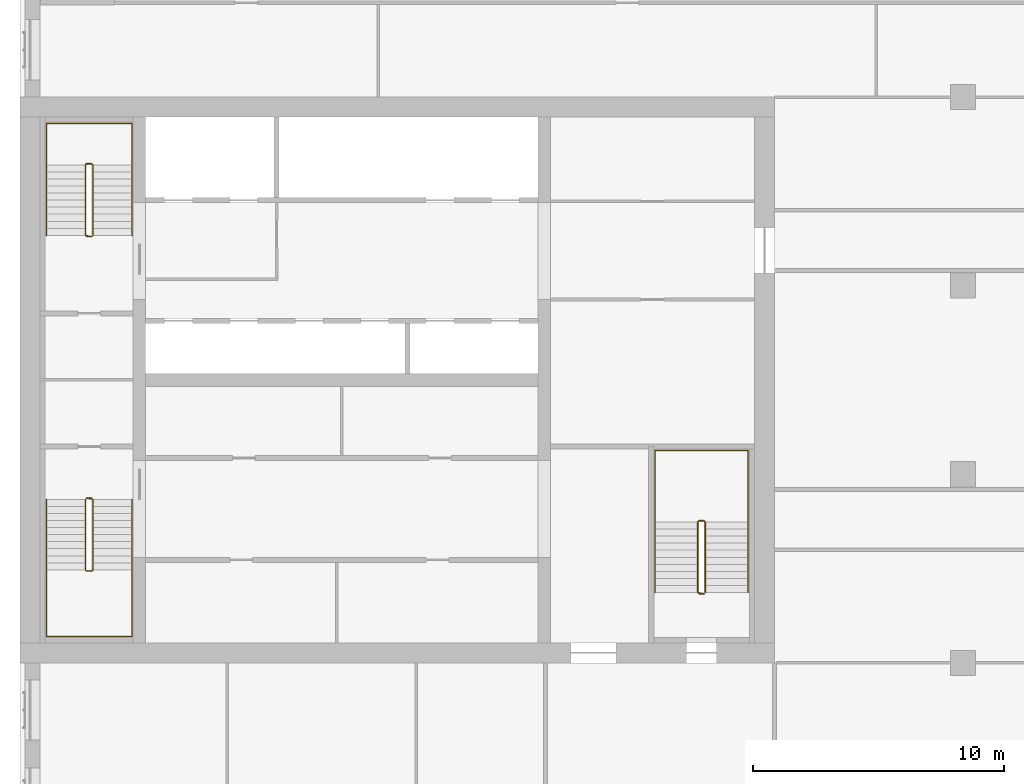
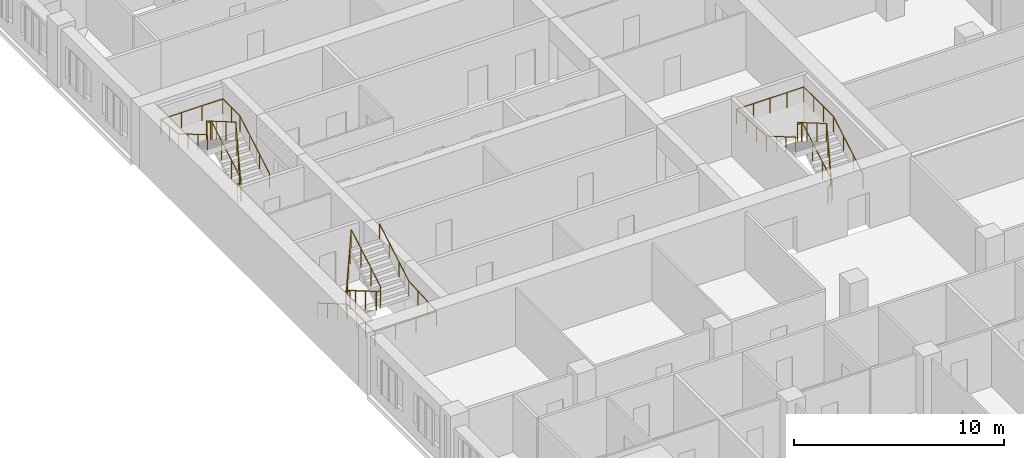
# One storey, part 13 of 13: 6 railings.
"""IFC4 building model written with IfcOpenShell, lengths in metres."""

from ifc_helpers import new_model, si_unit, direction, frame, origin, origin_2d, place, context, subcontext, project, spatial, circle, extrude, material, type_object, element, save


model = new_model("IFC4")

# Units and contexts
model_context = context("Model", 3, precision=1e-05, world=origin(), true_north=direction((0.0, 1.0)))
body_context = subcontext(model_context, "Body", "Model", "MODEL_VIEW")
ifc_project = project(units=[si_unit("LENGTHUNIT", "METRE"), si_unit("AREAUNIT", "SQUARE_METRE"), si_unit("VOLUMEUNIT", "CUBIC_METRE"), si_unit("PLANEANGLEUNIT", "RADIAN"), si_unit("MASSUNIT", "GRAM", prefix="KILO")], contexts=[model_context])

# Site, building, storey
site_placement = place(None, origin())
site = spatial("IfcSite", under=ifc_project, at=site_placement, CompositionType="ELEMENT")
building_placement = place(site_placement, origin())
building = spatial("IfcBuilding", under=site, at=building_placement, Name="Tamorin Gate", CompositionType="ELEMENT")
storey_placement = place(building_placement, frame((0.0, 0.0, 159.0)))
storey = spatial("IfcBuildingStorey", under=building, at=storey_placement, Name="L39", CompositionType="ELEMENT", Elevation=159.0)

# Railings
ifc_material_1 = material(Name="Painted steel balustrade", Category="steel")
railing_type_1 = type_object("IfcRailingType", Name="Stair guard 1100", PredefinedType="GUARDRAIL", material=ifc_material_1)
railing_1_placement = place(storey_placement, frame((32.60009765625, 66.5, 0.16357421875)))
element("IfcRailing", 1, at=railing_1_placement, inside=storey, type_object=railing_type_1, Name="L39 ST1 stair guard 1", PredefinedType="GUARDRAIL", context=body_context, shape_type="SweptSolid", body=[
    extrude(circle(Radius=0.02392578125, at=origin_2d()), frame((0.0, 0.0, 1.076171875), z_axis=(0.0, -0.863360870873, 0.504586966384), x_axis=(1.0, 0.0, 0.0)), (0.0, 0.0, 1.0), 3.2431640625),
    extrude(circle(Radius=0.02392578125, at=origin_2d()), frame((0.0, -2.800048828125, 2.71240234375), z_axis=(0.705375805398, -0.708833529934, 0.0), x_axis=(0.708833529934, 0.705375805398, 0.0)), (0.0, 0.0, 1.0), 0.070556640625),
    extrude(circle(Radius=0.02392578125, at=origin_2d()), frame((0.0498046875, -2.85009765625, 2.71240234375), z_axis=(1.0, 0.0, 0.0), x_axis=(0.0, 1.0, 0.0)), (0.0, 0.0, 1.0), 0.2001953125),
    extrude(circle(Radius=0.02392578125, at=origin_2d()), frame((0.25, -2.85009765625, 2.71240234375), z_axis=(0.279546231943, 0.280916556609, 0.91811752648), x_axis=(-0.708833529934, 0.705375805398, 0.0)), (0.0, 0.0, 1.0), 0.17822265625),
    extrude(circle(Radius=0.02392578125, at=origin_2d()), frame((0.2998046875, -2.800048828125, 2.8759765625), z_axis=(0.0, 0.863360870873, 0.504586966384), x_axis=(-1.0, 0.0, 0.0)), (0.0, 0.0, 1.0), 3.2431640625),
    extrude(circle(Radius=0.02392578125, at=origin_2d()), frame((0.2998046875, 0.0, 4.5126953125), z_axis=(-0.069269067181, 0.013867342551, -0.997501625634), x_axis=(-0.196300278283, -0.98054382908, 0.0)), (0.0, 0.0, 1.0), 3.609130859375),
    extrude(circle(Radius=0.02392578125, at=origin_2d()), frame((0.0498046875, 0.050048828125, 0.91259765625), z_axis=(1.0, 0.0, 0.0), x_axis=(0.0, 1.0, 0.0)), (0.0, 0.0, 1.0), 0.2001953125),
    extrude(circle(Radius=0.02099609375, at=origin_2d()), origin(), (0.0, 0.0, 1.0), 1.052001953125),
    extrude(circle(Radius=0.02099609375, at=origin_2d()), frame((0.0, -0.933349609375, 0.54541015625)), (0.0, 0.0, 1.0), 1.052001953125),
    extrude(circle(Radius=0.02099609375, at=origin_2d()), frame((0.0, -1.86669921875, 1.091064453125)), (0.0, 0.0, 1.0), 1.052001953125),
    extrude(circle(Radius=0.02099609375, at=origin_2d()), frame((0.0, -2.800048828125, 1.636474609375)), (0.0, 0.0, 1.0), 1.052001953125),
    extrude(circle(Radius=0.02099609375, at=origin_2d()), frame((0.0498046875, -2.85009765625, 1.636474609375)), (0.0, 0.0, 1.0), 1.052001953125),
    extrude(circle(Radius=0.02099609375, at=origin_2d()), frame((0.25, -2.85009765625, 1.636474609375)), (0.0, 0.0, 1.0), 1.052001953125),
    extrude(circle(Radius=0.02099609375, at=origin_2d()), frame((0.2998046875, -2.800048828125, 1.800048828125)), (0.0, 0.0, 1.0), 1.052001953125),
    extrude(circle(Radius=0.02099609375, at=origin_2d()), frame((0.2998046875, -1.86669921875, 2.345458984375)), (0.0, 0.0, 1.0), 1.052001953125),
    extrude(circle(Radius=0.02099609375, at=origin_2d()), frame((0.2998046875, -0.933349609375, 2.89111328125)), (0.0, 0.0, 1.0), 1.052001953125),
    extrude(circle(Radius=0.02099609375, at=origin_2d()), frame((0.2998046875, 0.0, 3.4365234375)), (0.0, 0.0, 1.0), 1.052001953125),
    extrude(circle(Radius=0.02099609375, at=origin_2d()), frame((0.2373046875, 0.012451171875, 2.53662109375)), (0.0, 0.0, 1.0), 1.052001953125),
    extrude(circle(Radius=0.02099609375, at=origin_2d()), frame((0.1748046875, 0.02490234375, 1.636474609375)), (0.0, 0.0, 1.0), 1.052001953125),
    extrude(circle(Radius=0.02099609375, at=origin_2d()), frame((0.1123046875, 0.03759765625, 0.736328125)), (0.0, 0.0, 1.0), 1.052001953125),
    extrude(circle(Radius=0.02099609375, at=origin_2d()), frame((0.0498046875, 0.050048828125, -0.16357421875)), (0.0, 0.0, 1.0), 1.052001953125),
    extrude(circle(Radius=0.02099609375, at=origin_2d()), frame((0.25, 0.050048828125, -0.16357421875)), (0.0, 0.0, 1.0), 1.052001953125),
])
railing_2_placement = place(storey_placement, frame((32.89990234375, 77.0, 0.16357421875)))
element("IfcRailing", 2, at=railing_2_placement, inside=storey, type_object=railing_type_1, Name="L39 ST2 stair guard 1", PredefinedType="GUARDRAIL", context=body_context, shape_type="SweptSolid", body=[
    extrude(circle(Radius=0.02392578125, at=origin_2d()), frame((0.0, 0.0, 1.076171875), z_axis=(0.0, 0.863360870873, 0.504586966384), x_axis=(-1.0, 0.0, 0.0)), (0.0, 0.0, 1.0), 3.2431640625),
    extrude(circle(Radius=0.02392578125, at=origin_2d()), frame((0.0, 2.800048828125, 2.71240234375), z_axis=(-0.705375805398, 0.708833529934, 0.0), x_axis=(-0.708833529934, -0.705375805398, 0.0)), (0.0, 0.0, 1.0), 0.070556640625),
    extrude(circle(Radius=0.02392578125, at=origin_2d()), frame((-0.0498046875, 2.85009765625, 2.71240234375), z_axis=(-1.0, 0.0, 0.0), x_axis=(0.0, -1.0, 0.0)), (0.0, 0.0, 1.0), 0.2001953125),
    extrude(circle(Radius=0.02392578125, at=origin_2d()), frame((-0.25, 2.85009765625, 2.71240234375), z_axis=(-0.279546231943, -0.280916556609, 0.91811752648), x_axis=(0.708833529934, -0.705375805398, 0.0)), (0.0, 0.0, 1.0), 0.17822265625),
    extrude(circle(Radius=0.02392578125, at=origin_2d()), frame((-0.2998046875, 2.800048828125, 2.8759765625), z_axis=(0.0, -0.863360870873, 0.504586966384), x_axis=(1.0, 0.0, 0.0)), (0.0, 0.0, 1.0), 3.2431640625),
    extrude(circle(Radius=0.02392578125, at=origin_2d()), frame((-0.2998046875, 0.0, 4.5126953125), z_axis=(0.069269067181, -0.013867342551, -0.997501625634), x_axis=(0.196300278283, 0.98054382908, 0.0)), (0.0, 0.0, 1.0), 3.609130859375),
    extrude(circle(Radius=0.02392578125, at=origin_2d()), frame((-0.0498046875, -0.050048828125, 0.91259765625), z_axis=(-1.0, 0.0, 0.0), x_axis=(0.0, -1.0, 0.0)), (0.0, 0.0, 1.0), 0.2001953125),
    extrude(circle(Radius=0.02099609375, at=origin_2d()), origin(), (0.0, 0.0, 1.0), 1.052001953125),
    extrude(circle(Radius=0.02099609375, at=origin_2d()), frame((0.0, 0.933349609375, 0.54541015625)), (0.0, 0.0, 1.0), 1.052001953125),
    extrude(circle(Radius=0.02099609375, at=origin_2d()), frame((0.0, 1.86669921875, 1.091064453125)), (0.0, 0.0, 1.0), 1.052001953125),
    extrude(circle(Radius=0.02099609375, at=origin_2d()), frame((0.0, 2.800048828125, 1.636474609375)), (0.0, 0.0, 1.0), 1.052001953125),
    extrude(circle(Radius=0.02099609375, at=origin_2d()), frame((-0.0498046875, 2.85009765625, 1.636474609375)), (0.0, 0.0, 1.0), 1.052001953125),
    extrude(circle(Radius=0.02099609375, at=origin_2d()), frame((-0.25, 2.85009765625, 1.636474609375)), (0.0, 0.0, 1.0), 1.052001953125),
    extrude(circle(Radius=0.02099609375, at=origin_2d()), frame((-0.2998046875, 2.800048828125, 1.800048828125)), (0.0, 0.0, 1.0), 1.052001953125),
    extrude(circle(Radius=0.02099609375, at=origin_2d()), frame((-0.2998046875, 1.86669921875, 2.345458984375)), (0.0, 0.0, 1.0), 1.052001953125),
    extrude(circle(Radius=0.02099609375, at=origin_2d()), frame((-0.2998046875, 0.933349609375, 2.89111328125)), (0.0, 0.0, 1.0), 1.052001953125),
    extrude(circle(Radius=0.02099609375, at=origin_2d()), frame((-0.2998046875, 0.0, 3.4365234375)), (0.0, 0.0, 1.0), 1.052001953125),
    extrude(circle(Radius=0.02099609375, at=origin_2d()), frame((-0.2373046875, -0.012451171875, 2.53662109375)), (0.0, 0.0, 1.0), 1.052001953125),
    extrude(circle(Radius=0.02099609375, at=origin_2d()), frame((-0.1748046875, -0.02490234375, 1.636474609375)), (0.0, 0.0, 1.0), 1.052001953125),
    extrude(circle(Radius=0.02099609375, at=origin_2d()), frame((-0.1123046875, -0.03759765625, 0.736328125)), (0.0, 0.0, 1.0), 1.052001953125),
    extrude(circle(Radius=0.02099609375, at=origin_2d()), frame((-0.0498046875, -0.050048828125, -0.16357421875)), (0.0, 0.0, 1.0), 1.052001953125),
    extrude(circle(Radius=0.02099609375, at=origin_2d()), frame((-0.25, -0.050048828125, -0.16357421875)), (0.0, 0.0, 1.0), 1.052001953125),
])
railing_3_placement = place(storey_placement, frame((57.25, 62.800048828125, 0.16357421875)))
element("IfcRailing", 3, at=railing_3_placement, inside=storey, type_object=railing_type_1, Name="L39 ST3 stair guard 1", PredefinedType="GUARDRAIL", context=body_context, shape_type="SweptSolid", body=[
    extrude(circle(Radius=0.02392578125, at=origin_2d()), frame((0.0, 0.0, 1.076171875), z_axis=(0.0, 0.863360870873, 0.504586966384), x_axis=(-1.0, 0.0, 0.0)), (0.0, 0.0, 1.0), 3.2431640625),
    extrude(circle(Radius=0.02392578125, at=origin_2d()), frame((0.0, 2.800048828125, 2.71240234375), z_axis=(-0.708833529934, 0.705375805398, 0.0), x_axis=(-0.705375805398, -0.708833529934, 0.0)), (0.0, 0.0, 1.0), 0.070556640625),
    extrude(circle(Radius=0.02392578125, at=origin_2d()), frame((-0.050048828125, 2.849853515625, 2.71240234375), z_axis=(-1.0, 0.0, 0.0), x_axis=(0.0, -1.0, 0.0)), (0.0, 0.0, 1.0), 0.199951171875),
    extrude(circle(Radius=0.02392578125, at=origin_2d()), frame((-0.25, 2.849853515625, 2.71240234375), z_axis=(-0.280916556609, -0.279546231943, 0.91811752648), x_axis=(0.705375805398, -0.708833529934, 0.0)), (0.0, 0.0, 1.0), 0.17822265625),
    extrude(circle(Radius=0.02392578125, at=origin_2d()), frame((-0.300048828125, 2.800048828125, 2.8759765625), z_axis=(0.0, -0.863360870873, 0.504586966384), x_axis=(1.0, 0.0, 0.0)), (0.0, 0.0, 1.0), 3.2431640625),
    extrude(circle(Radius=0.02392578125, at=origin_2d()), frame((-0.300048828125, 0.0, 4.5126953125), z_axis=(0.069269067181, -0.013867342551, -0.997501625634), x_axis=(0.196300278283, 0.98054382908, 0.0)), (0.0, 0.0, 1.0), 3.609130859375),
    extrude(circle(Radius=0.02392578125, at=origin_2d()), frame((-0.050048828125, -0.050048828125, 0.91259765625), z_axis=(-1.0, 0.0, 0.0), x_axis=(0.0, -1.0, 0.0)), (0.0, 0.0, 1.0), 0.199951171875),
    extrude(circle(Radius=0.02099609375, at=origin_2d()), origin(), (0.0, 0.0, 1.0), 1.052001953125),
    extrude(circle(Radius=0.02099609375, at=origin_2d()), frame((0.0, 0.933349609375, 0.54541015625)), (0.0, 0.0, 1.0), 1.052001953125),
    extrude(circle(Radius=0.02099609375, at=origin_2d()), frame((0.0, 1.86669921875, 1.091064453125)), (0.0, 0.0, 1.0), 1.052001953125),
    extrude(circle(Radius=0.02099609375, at=origin_2d()), frame((0.0, 2.800048828125, 1.636474609375)), (0.0, 0.0, 1.0), 1.052001953125),
    extrude(circle(Radius=0.02099609375, at=origin_2d()), frame((-0.050048828125, 2.849853515625, 1.636474609375)), (0.0, 0.0, 1.0), 1.052001953125),
    extrude(circle(Radius=0.02099609375, at=origin_2d()), frame((-0.25, 2.849853515625, 1.636474609375)), (0.0, 0.0, 1.0), 1.052001953125),
    extrude(circle(Radius=0.02099609375, at=origin_2d()), frame((-0.300048828125, 2.800048828125, 1.800048828125)), (0.0, 0.0, 1.0), 1.052001953125),
    extrude(circle(Radius=0.02099609375, at=origin_2d()), frame((-0.300048828125, 1.86669921875, 2.345458984375)), (0.0, 0.0, 1.0), 1.052001953125),
    extrude(circle(Radius=0.02099609375, at=origin_2d()), frame((-0.300048828125, 0.933349609375, 2.89111328125)), (0.0, 0.0, 1.0), 1.052001953125),
    extrude(circle(Radius=0.02099609375, at=origin_2d()), frame((-0.300048828125, 0.0, 3.4365234375)), (0.0, 0.0, 1.0), 1.052001953125),
    extrude(circle(Radius=0.02099609375, at=origin_2d()), frame((-0.237548828125, -0.012451171875, 2.53662109375)), (0.0, 0.0, 1.0), 1.052001953125),
    extrude(circle(Radius=0.02099609375, at=origin_2d()), frame((-0.175048828125, -0.02490234375, 1.636474609375)), (0.0, 0.0, 1.0), 1.052001953125),
    extrude(circle(Radius=0.02099609375, at=origin_2d()), frame((-0.112548828125, -0.03759765625, 0.736328125)), (0.0, 0.0, 1.0), 1.052001953125),
    extrude(circle(Radius=0.02099609375, at=origin_2d()), frame((-0.050048828125, -0.050048828125, -0.16357421875)), (0.0, 0.0, 1.0), 1.052001953125),
    extrude(circle(Radius=0.02099609375, at=origin_2d()), frame((-0.25, -0.050048828125, -0.16357421875)), (0.0, 0.0, 1.0), 1.052001953125),
])
ifc_material_2 = material(Name="Painted steel handrail", Category="steel")
railing_type_2 = type_object("IfcRailingType", Name="Stair handrail 900", PredefinedType="HANDRAIL", material=ifc_material_2)
railing_4_placement = place(storey_placement, frame((31.050048828125, 66.5, 0.16357421875)))
element("IfcRailing", 4, at=railing_4_placement, inside=storey, type_object=railing_type_2, Name="L39 ST1 stair handrail 1", PredefinedType="HANDRAIL", context=body_context, shape_type="SweptSolid", body=[
    extrude(circle(Radius=0.02392578125, at=origin_2d()), frame((0.0, 0.0, 0.8759765625), z_axis=(0.0, -0.863360870873, 0.504586966384), x_axis=(1.0, 0.0, 0.0)), (0.0, 0.0, 1.0), 3.2431640625),
    extrude(circle(Radius=0.02392578125, at=origin_2d()), frame((0.0, -2.800048828125, 2.51220703125), z_axis=(0.0, -1.0, 0.0), x_axis=(1.0, 0.0, 0.0)), (0.0, 0.0, 1.0), 2.64990234375),
    extrude(circle(Radius=0.02392578125, at=origin_2d()), frame((0.0, -5.449951171875, 2.51220703125), z_axis=(1.0, 0.0, 0.0), x_axis=(0.0, 1.0, 0.0)), (0.0, 0.0, 1.0), 3.39990234375),
    extrude(circle(Radius=0.02392578125, at=origin_2d()), frame((3.39990234375, -5.449951171875, 2.51220703125), z_axis=(0.0, 0.998100230056, 0.061611125312), x_axis=(-1.0, 0.0, 0.0)), (0.0, 0.0, 1.0), 2.655029296875),
    extrude(circle(Radius=0.02392578125, at=origin_2d()), frame((3.39990234375, -2.800048828125, 2.67578125), z_axis=(0.0, 0.863360870873, 0.504586966384), x_axis=(-1.0, 0.0, 0.0)), (0.0, 0.0, 1.0), 3.2431640625),
    extrude(circle(Radius=0.02099609375, at=origin_2d()), origin(), (0.0, 0.0, 1.0), 0.851806640625),
    extrude(circle(Radius=0.02099609375, at=origin_2d()), frame((0.0, -0.933349609375, 0.54541015625)), (0.0, 0.0, 1.0), 0.851806640625),
    extrude(circle(Radius=0.02099609375, at=origin_2d()), frame((0.0, -1.86669921875, 1.091064453125)), (0.0, 0.0, 1.0), 0.851806640625),
    extrude(circle(Radius=0.02099609375, at=origin_2d()), frame((0.0, -2.800048828125, 1.636474609375)), (0.0, 0.0, 1.0), 0.851806640625),
    extrude(circle(Radius=0.02099609375, at=origin_2d()), frame((0.0, -3.683349609375, 1.636474609375)), (0.0, 0.0, 1.0), 0.851806640625),
    extrude(circle(Radius=0.02099609375, at=origin_2d()), frame((0.0, -4.566650390625, 1.636474609375)), (0.0, 0.0, 1.0), 0.851806640625),
    extrude(circle(Radius=0.02099609375, at=origin_2d()), frame((0.0, -5.449951171875, 1.636474609375)), (0.0, 0.0, 1.0), 0.851806640625),
    extrude(circle(Radius=0.02099609375, at=origin_2d()), frame((1.13330078125, -5.449951171875, 1.636474609375)), (0.0, 0.0, 1.0), 0.851806640625),
    extrude(circle(Radius=0.02099609375, at=origin_2d()), frame((2.2666015625, -5.449951171875, 1.636474609375)), (0.0, 0.0, 1.0), 0.851806640625),
    extrude(circle(Radius=0.02099609375, at=origin_2d()), frame((3.39990234375, -5.449951171875, 1.636474609375)), (0.0, 0.0, 1.0), 0.851806640625),
    extrude(circle(Radius=0.02099609375, at=origin_2d()), frame((3.39990234375, -4.566650390625, 1.69091796875)), (0.0, 0.0, 1.0), 0.851806640625),
    extrude(circle(Radius=0.02099609375, at=origin_2d()), frame((3.39990234375, -3.683349609375, 1.74560546875)), (0.0, 0.0, 1.0), 0.851806640625),
    extrude(circle(Radius=0.02099609375, at=origin_2d()), frame((3.39990234375, -2.800048828125, 1.800048828125)), (0.0, 0.0, 1.0), 0.851806640625),
    extrude(circle(Radius=0.02099609375, at=origin_2d()), frame((3.39990234375, -1.86669921875, 2.345458984375)), (0.0, 0.0, 1.0), 0.851806640625),
    extrude(circle(Radius=0.02099609375, at=origin_2d()), frame((3.39990234375, -0.933349609375, 2.89111328125)), (0.0, 0.0, 1.0), 0.851806640625),
    extrude(circle(Radius=0.02099609375, at=origin_2d()), frame((3.39990234375, 0.0, 3.4365234375)), (0.0, 0.0, 1.0), 0.851806640625),
])
railing_5_placement = place(storey_placement, frame((34.449951171875, 77.0, 0.16357421875)))
element("IfcRailing", 5, at=railing_5_placement, inside=storey, type_object=railing_type_2, Name="L39 ST2 stair handrail 1", PredefinedType="HANDRAIL", context=body_context, shape_type="SweptSolid", body=[
    extrude(circle(Radius=0.02392578125, at=origin_2d()), frame((0.0, 0.0, 0.8759765625), z_axis=(0.0, 0.863360870873, 0.504586966384), x_axis=(-1.0, 0.0, 0.0)), (0.0, 0.0, 1.0), 3.2431640625),
    extrude(circle(Radius=0.02392578125, at=origin_2d()), frame((0.0, 2.800048828125, 2.51220703125), z_axis=(0.0, 1.0, 0.0), x_axis=(-1.0, 0.0, 0.0)), (0.0, 0.0, 1.0), 1.64990234375),
    extrude(circle(Radius=0.02392578125, at=origin_2d()), frame((0.0, 4.449951171875, 2.51220703125), z_axis=(-1.0, 0.0, 0.0), x_axis=(0.0, -1.0, 0.0)), (0.0, 0.0, 1.0), 3.39990234375),
    extrude(circle(Radius=0.02392578125, at=origin_2d()), frame((-3.39990234375, 4.449951171875, 2.51220703125), z_axis=(0.0, -0.995121390814, 0.098658084026), x_axis=(1.0, 0.0, 0.0)), (0.0, 0.0, 1.0), 1.657958984375),
    extrude(circle(Radius=0.02392578125, at=origin_2d()), frame((-3.39990234375, 2.800048828125, 2.67578125), z_axis=(0.0, -0.863360870873, 0.504586966384), x_axis=(1.0, 0.0, 0.0)), (0.0, 0.0, 1.0), 3.2431640625),
    extrude(circle(Radius=0.02099609375, at=origin_2d()), origin(), (0.0, 0.0, 1.0), 0.851806640625),
    extrude(circle(Radius=0.02099609375, at=origin_2d()), frame((0.0, 0.933349609375, 0.54541015625)), (0.0, 0.0, 1.0), 0.851806640625),
    extrude(circle(Radius=0.02099609375, at=origin_2d()), frame((0.0, 1.86669921875, 1.091064453125)), (0.0, 0.0, 1.0), 0.851806640625),
    extrude(circle(Radius=0.02099609375, at=origin_2d()), frame((0.0, 2.800048828125, 1.636474609375)), (0.0, 0.0, 1.0), 0.851806640625),
    extrude(circle(Radius=0.02099609375, at=origin_2d()), frame((0.0, 3.625, 1.636474609375)), (0.0, 0.0, 1.0), 0.851806640625),
    extrude(circle(Radius=0.02099609375, at=origin_2d()), frame((0.0, 4.449951171875, 1.636474609375)), (0.0, 0.0, 1.0), 0.851806640625),
    extrude(circle(Radius=0.02099609375, at=origin_2d()), frame((-1.13330078125, 4.449951171875, 1.636474609375)), (0.0, 0.0, 1.0), 0.851806640625),
    extrude(circle(Radius=0.02099609375, at=origin_2d()), frame((-2.2666015625, 4.449951171875, 1.636474609375)), (0.0, 0.0, 1.0), 0.851806640625),
    extrude(circle(Radius=0.02099609375, at=origin_2d()), frame((-3.39990234375, 4.449951171875, 1.636474609375)), (0.0, 0.0, 1.0), 0.851806640625),
    extrude(circle(Radius=0.02099609375, at=origin_2d()), frame((-3.39990234375, 3.625, 1.71826171875)), (0.0, 0.0, 1.0), 0.851806640625),
    extrude(circle(Radius=0.02099609375, at=origin_2d()), frame((-3.39990234375, 2.800048828125, 1.800048828125)), (0.0, 0.0, 1.0), 0.851806640625),
    extrude(circle(Radius=0.02099609375, at=origin_2d()), frame((-3.39990234375, 1.86669921875, 2.345458984375)), (0.0, 0.0, 1.0), 0.851806640625),
    extrude(circle(Radius=0.02099609375, at=origin_2d()), frame((-3.39990234375, 0.933349609375, 2.89111328125)), (0.0, 0.0, 1.0), 0.851806640625),
    extrude(circle(Radius=0.02099609375, at=origin_2d()), frame((-3.39990234375, 0.0, 3.4365234375)), (0.0, 0.0, 1.0), 0.851806640625),
])
railing_6_placement = place(storey_placement, frame((58.949951171875, 62.800048828125, 0.16357421875)))
element("IfcRailing", 6, at=railing_6_placement, inside=storey, type_object=railing_type_2, Name="L39 ST3 stair handrail 1", PredefinedType="HANDRAIL", context=body_context, shape_type="SweptSolid", body=[
    extrude(circle(Radius=0.02392578125, at=origin_2d()), frame((0.0, 0.0, 0.8759765625), z_axis=(0.0, 0.863360870873, 0.504586966384), x_axis=(-1.0, 0.0, 0.0)), (0.0, 0.0, 1.0), 3.2431640625),
    extrude(circle(Radius=0.02392578125, at=origin_2d()), frame((0.0, 2.800048828125, 2.51220703125), z_axis=(0.0, 1.0, 0.0), x_axis=(-1.0, 0.0, 0.0)), (0.0, 0.0, 1.0), 2.849853515625),
    extrude(circle(Radius=0.02392578125, at=origin_2d()), frame((0.0, 5.64990234375, 2.51220703125), z_axis=(-1.0, 0.0, 0.0), x_axis=(0.0, -1.0, 0.0)), (0.0, 0.0, 1.0), 3.699951171875),
    extrude(circle(Radius=0.02392578125, at=origin_2d()), frame((-3.699951171875, 5.64990234375, 2.51220703125), z_axis=(0.0, -0.998356827416, 0.057303098978), x_axis=(1.0, 0.0, 0.0)), (0.0, 0.0, 1.0), 2.8544921875),
    extrude(circle(Radius=0.02392578125, at=origin_2d()), frame((-3.699951171875, 2.800048828125, 2.67578125), z_axis=(0.0, -0.863360870873, 0.504586966384), x_axis=(1.0, 0.0, 0.0)), (0.0, 0.0, 1.0), 3.2431640625),
    extrude(circle(Radius=0.02099609375, at=origin_2d()), origin(), (0.0, 0.0, 1.0), 0.851806640625),
    extrude(circle(Radius=0.02099609375, at=origin_2d()), frame((0.0, 0.933349609375, 0.54541015625)), (0.0, 0.0, 1.0), 0.851806640625),
    extrude(circle(Radius=0.02099609375, at=origin_2d()), frame((0.0, 1.86669921875, 1.091064453125)), (0.0, 0.0, 1.0), 0.851806640625),
    extrude(circle(Radius=0.02099609375, at=origin_2d()), frame((0.0, 2.800048828125, 1.636474609375)), (0.0, 0.0, 1.0), 0.851806640625),
    extrude(circle(Radius=0.02099609375, at=origin_2d()), frame((0.0, 3.75, 1.636474609375)), (0.0, 0.0, 1.0), 0.851806640625),
    extrude(circle(Radius=0.02099609375, at=origin_2d()), frame((0.0, 4.699951171875, 1.636474609375)), (0.0, 0.0, 1.0), 0.851806640625),
    extrude(circle(Radius=0.02099609375, at=origin_2d()), frame((0.0, 5.64990234375, 1.636474609375)), (0.0, 0.0, 1.0), 0.851806640625),
    extrude(circle(Radius=0.02099609375, at=origin_2d()), frame((-0.925048828125, 5.64990234375, 1.636474609375)), (0.0, 0.0, 1.0), 0.851806640625),
    extrude(circle(Radius=0.02099609375, at=origin_2d()), frame((-1.85009765625, 5.64990234375, 1.636474609375)), (0.0, 0.0, 1.0), 0.851806640625),
    extrude(circle(Radius=0.02099609375, at=origin_2d()), frame((-2.77490234375, 5.64990234375, 1.636474609375)), (0.0, 0.0, 1.0), 0.851806640625),
    extrude(circle(Radius=0.02099609375, at=origin_2d()), frame((-3.699951171875, 5.64990234375, 1.636474609375)), (0.0, 0.0, 1.0), 0.851806640625),
    extrude(circle(Radius=0.02099609375, at=origin_2d()), frame((-3.699951171875, 4.699951171875, 1.69091796875)), (0.0, 0.0, 1.0), 0.851806640625),
    extrude(circle(Radius=0.02099609375, at=origin_2d()), frame((-3.699951171875, 3.75, 1.74560546875)), (0.0, 0.0, 1.0), 0.851806640625),
    extrude(circle(Radius=0.02099609375, at=origin_2d()), frame((-3.699951171875, 2.800048828125, 1.800048828125)), (0.0, 0.0, 1.0), 0.851806640625),
    extrude(circle(Radius=0.02099609375, at=origin_2d()), frame((-3.699951171875, 1.86669921875, 2.345458984375)), (0.0, 0.0, 1.0), 0.851806640625),
    extrude(circle(Radius=0.02099609375, at=origin_2d()), frame((-3.699951171875, 0.933349609375, 2.89111328125)), (0.0, 0.0, 1.0), 0.851806640625),
    extrude(circle(Radius=0.02099609375, at=origin_2d()), frame((-3.699951171875, 0.0, 3.4365234375)), (0.0, 0.0, 1.0), 0.851806640625),
])

save(model, "model.ifc")
